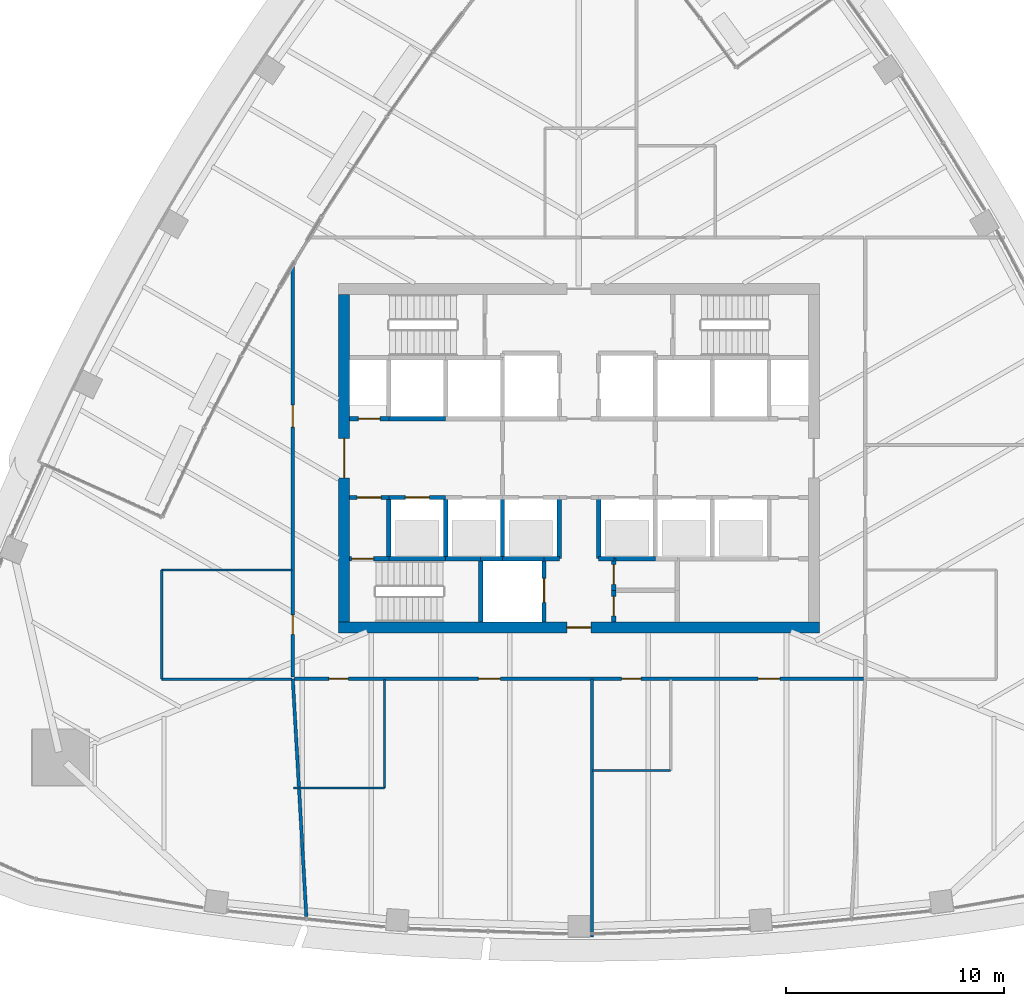
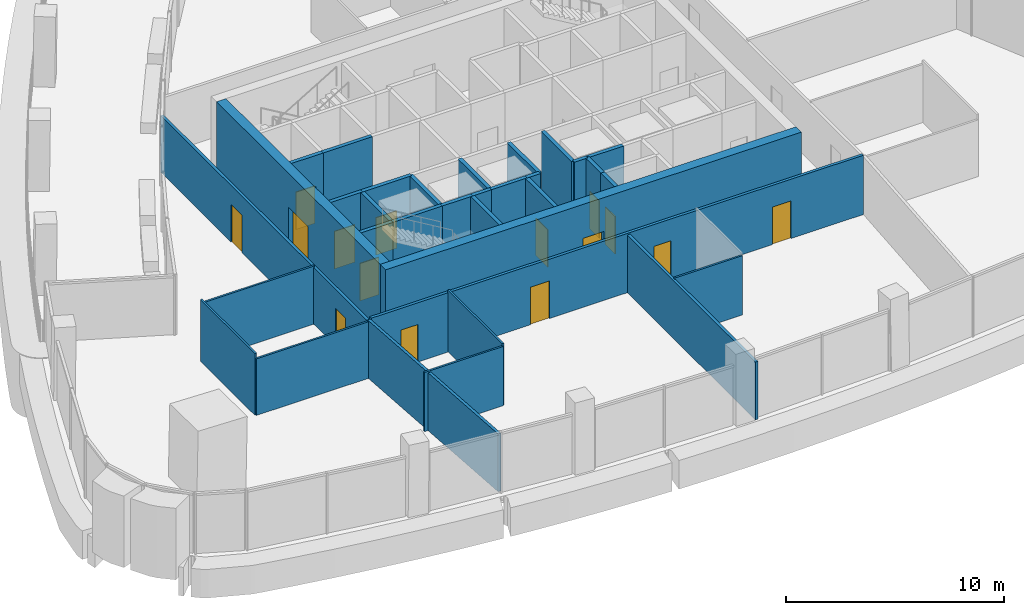
# One storey, part 11 of 19: 33 walls, 15 doors, 15 openings.
"""IFC4 building model written with IfcOpenShell, lengths in metres."""

from ifc_helpers import new_model, si_unit, direction, frame, frame_2d, origin, place, context, subcontext, project, spatial, rectangle, extrude, material, layer, layer_set, type_object, element, fill, save


model = new_model("IFC4")

# Units and contexts
model_context = context("Model", 3, precision=1e-05, world=origin(), true_north=direction((0.0, 1.0)))
body_context = subcontext(model_context, "Body", "Model", "MODEL_VIEW")
ifc_project = project(units=[si_unit("LENGTHUNIT", "METRE"), si_unit("AREAUNIT", "SQUARE_METRE"), si_unit("VOLUMEUNIT", "CUBIC_METRE"), si_unit("PLANEANGLEUNIT", "RADIAN"), si_unit("MASSUNIT", "GRAM", prefix="KILO")], contexts=[model_context])

# Site, building, storey
site_placement = place(None, origin())
site = spatial("IfcSite", under=ifc_project, at=site_placement, CompositionType="ELEMENT")
building_placement = place(site_placement, origin())
building = spatial("IfcBuilding", under=site, at=building_placement, Name="Sierra Prisma Convention Tower", CompositionType="ELEMENT")
storey_placement = place(building_placement, frame((0.0, 0.0, 173.800048828125)))
storey = spatial("IfcBuildingStorey", under=building, at=storey_placement, Name="L38", CompositionType="ELEMENT", Elevation=173.800048828125)

# Walls
ifc_material_1 = material(Name="Gypsum board partition", Category="gypsum")
ifc_layer_1 = layer(ifc_material_1, 0.10009765625)
ifc_layer_set_1 = layer_set([ifc_layer_1], Name="Bathroom partition 100")
wall_type_1 = type_object("IfcWallType", Name="Bathroom partition 100", PredefinedType="PARTITIONING", material=ifc_layer_set_1)
wall_1_placement = place(storey_placement, frame((-13.1298828125, -10.1201171875, 0.0), z_axis=(0.0, 0.0, 1.0), x_axis=(-1.0, 0.0, 0.0)))
element("IfcWall", 1, at=wall_1_placement, inside=storey, type_object=wall_type_1, Name="Partition L38 bath 1", PredefinedType="PARTITIONING", context=body_context, shape_type="SweptSolid", body=[
    extrude(rectangle(XDim=5.97021484375, YDim=0.10009765625, at=frame_2d((2.985107421875, 0.0))), origin(), (0.0, 0.0, 1.0), 3.166015625),
])
wall_2_placement = place(storey_placement, frame((-19.10009765625, -10.1201171875, 0.0), z_axis=(0.0, 0.0, 1.0), x_axis=(0.0, 1.0, 0.0)))
element("IfcWall", 2, at=wall_2_placement, inside=storey, type_object=wall_type_1, Name="Partition L38 bath 2", PredefinedType="PARTITIONING", context=body_context, shape_type="SweptSolid", body=[
    extrude(rectangle(XDim=5.0, YDim=0.10009765625, at=frame_2d((2.5, 0.0))), origin(), (0.0, 0.0, 1.0), 3.449951171875),
])
wall_3_placement = place(storey_placement, frame((-19.10009765625, -5.1201171875, 0.0), z_axis=(0.0, 0.0, 1.0), x_axis=(1.0, 0.0, 0.0)))
element("IfcWall", 3, at=wall_3_placement, inside=storey, type_object=wall_type_1, Name="Partition L38 bath 3", PredefinedType="PARTITIONING", context=body_context, shape_type="SweptSolid", body=[
    extrude(rectangle(XDim=5.97021484375, YDim=0.10009765625, at=frame_2d((2.985107421875, 0.0))), origin(), (0.0, 0.0, 1.0), 3.2470703125),
])
wall_4_placement = place(storey_placement, frame((-8.89990234375, -10.1298828125, 0.0), z_axis=(0.0, 0.0, 1.0), x_axis=(0.0, -1.0, 0.0)))
element("IfcWall", 4, at=wall_4_placement, inside=storey, type_object=wall_type_1, Name="Partition L38 bath 4", PredefinedType="PARTITIONING", context=body_context, shape_type="SweptSolid", body=[
    extrude(rectangle(XDim=4.97021484375, YDim=0.10009765625, at=frame_2d((2.485107421875, 0.0))), origin(), (0.0, 0.0, 1.0), 3.449951171875),
])
wall_5_placement = place(storey_placement, frame((-8.89990234375, -15.10009765625, 0.0), z_axis=(0.0, 0.0, 1.0), x_axis=(-1.0, 0.0, 0.0)))
element("IfcWall", 5, at=wall_5_placement, inside=storey, type_object=wall_type_1, Name="Partition L38 bath 5", PredefinedType="PARTITIONING", context=body_context, shape_type="SweptSolid", body=[
    extrude(rectangle(XDim=4.170166015625, YDim=0.10009765625, at=frame_2d((2.0849609375, 0.0))), origin(), (0.0, 0.0, 1.0), 3.31689453125),
])
wall_6_placement = place(storey_placement, frame((4.199951171875, -14.300048828125, 0.0), z_axis=(0.0, 0.0, 1.0), x_axis=(-1.0, 0.0, 0.0)))
element("IfcWall", 6, at=wall_6_placement, inside=storey, type_object=wall_type_1, Name="Partition L38 bath 9", PredefinedType="PARTITIONING", context=body_context, shape_type="SweptSolid", body=[
    extrude(rectangle(XDim=3.570068359375, YDim=0.10009765625, at=frame_2d((1.78515625, 0.0))), origin(), (0.0, 0.0, 1.0), 3.31689453125),
])

# Wall, opening, door
ifc_material_2 = material(Name="Concrete C30/37", Category="concrete")
ifc_layer_2 = layer(ifc_material_2, 0.199951171875)
ifc_layer_set_2 = layer_set([ifc_layer_2], Name="Core wall RC 200 C30/37")
wall_type_2 = type_object("IfcWallType", Name="Core wall RC 200 C30/37", PredefinedType="SOLIDWALL", material=ifc_layer_set_2)
wall_7_placement = place(storey_placement, frame((-10.5, -4.60009765625, 0.0), z_axis=(0.0, 0.0, 1.0), x_axis=(1.0, 0.0, 0.0)))
wall_7 = element("IfcWall", 7, at=wall_7_placement, inside=storey, type_object=wall_type_2, Name="Core wall L38 1", PredefinedType="SOLIDWALL", context=body_context, shape_type="SweptSolid", body=[
    extrude(rectangle(XDim=1.800048828125, YDim=0.199951171875, at=frame_2d((0.89990234375, 0.0))), origin(), (0.0, 0.0, 1.0), 3.849853515625),
])
opening_1_placement = place(wall_7_placement, frame((0.10009765625, 0.0, 0.0)))
opening_1 = element("IfcOpeningElement", 8, at=opening_1_placement, cuts=wall_7, Name="Opening L38-D019", PredefinedType="OPENING", context=body_context, shape_type="SweptSolid", body=[
    extrude(rectangle(XDim=1.0, YDim=2.10009765625, at=frame_2d((0.5, 1.050048828125))), frame((0.0, 0.10009765625, 0.0), z_axis=(0.0, -1.0, 0.0), x_axis=(1.0, 0.0, 0.0)), (0.0, 0.0, 1.0), 0.199951171875),
])
ifc_material_3 = material(Name="Steel fire door leaf", Category="steel")
door_type_1 = type_object("IfcDoorType", Name="Door 1000x2100 FD90S", OperationType="SINGLE_SWING_LEFT", PredefinedType="DOOR", material=ifc_material_3)
door_1_placement = place(opening_1_placement, origin())
door_1 = element("IfcDoor", 9, at=door_1_placement, inside=storey, type_object=door_type_1, Name="Door L38 30", OperationType="SINGLE_SWING_LEFT", OverallHeight=2.10009765625, OverallWidth=1.0, PredefinedType="DOOR", context=body_context, shape_type="SweptSolid", body=[
    extrude(rectangle(XDim=1.0, YDim=2.10009765625, at=frame_2d((0.5, 1.050048828125))), frame((0.0, 0.02490234375, 0.0), z_axis=(0.0, -1.0, 0.0), x_axis=(1.0, 0.0, 0.0)), (0.0, 0.0, 1.0), 0.050048828125),
])
fill(opening_1, door_1)

wall_8_placement = place(storey_placement, frame((-10.5, -1.800048828125, 0.0), z_axis=(0.0, 0.0, 1.0), x_axis=(1.0, 0.0, 0.0)))
wall_8 = element("IfcWall", 10, at=wall_8_placement, inside=storey, type_object=wall_type_2, Name="Core wall L38 2", PredefinedType="SOLIDWALL", context=body_context, shape_type="SweptSolid", body=[
    extrude(rectangle(XDim=1.800048828125, YDim=0.199951171875, at=frame_2d((0.89990234375, 0.0))), origin(), (0.0, 0.0, 1.0), 3.849853515625),
])
opening_2_placement = place(wall_8_placement, frame((0.35009765625, 0.0, 0.0)))
opening_2 = element("IfcOpeningElement", 11, at=opening_2_placement, cuts=wall_8, Name="Opening L38-D014", PredefinedType="OPENING", context=body_context, shape_type="SweptSolid", body=[
    extrude(rectangle(XDim=1.10009765625, YDim=2.10009765625, at=frame_2d((0.550048828125, 1.050048828125))), frame((0.0, 0.10009765625, 0.0), z_axis=(0.0, -1.0, 0.0), x_axis=(1.0, 0.0, 0.0)), (0.0, 0.0, 1.0), 0.199951171875),
])
ifc_material_4 = material(Name="Steel fire door leaf", Category="steel")
door_type_2 = type_object("IfcDoorType", Name="Door 1100x2100 FD90S", OperationType="SINGLE_SWING_LEFT", PredefinedType="DOOR", material=ifc_material_4)
door_2_placement = place(opening_2_placement, origin())
door_2 = element("IfcDoor", 12, at=door_2_placement, inside=storey, type_object=door_type_2, Name="Door L38 25", OperationType="SINGLE_SWING_RIGHT", OverallHeight=2.10009765625, OverallWidth=1.10009765625, PredefinedType="DOOR", context=body_context, shape_type="SweptSolid", body=[
    extrude(rectangle(XDim=1.10009765625, YDim=2.10009765625, at=frame_2d((0.550048828125, 1.050048828125))), frame((0.0, 0.02490234375, 0.0), z_axis=(0.0, -1.0, 0.0), x_axis=(1.0, 0.0, 0.0)), (0.0, 0.0, 1.0), 0.050048828125),
])
fill(opening_2, door_2)

wall_9_placement = place(storey_placement, frame((-8.699951171875, 1.800048828125, 0.0), z_axis=(0.0, 0.0, 1.0), x_axis=(-1.0, 0.0, 0.0)))
wall_9 = element("IfcWall", 13, at=wall_9_placement, inside=storey, type_object=wall_type_2, Name="Core wall L38 3", PredefinedType="SOLIDWALL", context=body_context, shape_type="SweptSolid", body=[
    extrude(rectangle(XDim=1.800048828125, YDim=0.199951171875, at=frame_2d((0.89990234375, 0.0))), origin(), (0.0, 0.0, 1.0), 3.849853515625),
])
opening_3_placement = place(wall_9_placement, frame((0.39990234375, 0.0, 0.0)))
opening_3 = element("IfcOpeningElement", 14, at=opening_3_placement, cuts=wall_9, Name="Opening L38-D017", PredefinedType="OPENING", context=body_context, shape_type="SweptSolid", body=[
    extrude(rectangle(XDim=1.0, YDim=2.10009765625, at=frame_2d((0.5, 1.050048828125))), frame((0.0, 0.10009765625, 0.0), z_axis=(0.0, -1.0, 0.0), x_axis=(1.0, 0.0, 0.0)), (0.0, 0.0, 1.0), 0.199951171875),
])
ifc_material_5 = material(Name="Steel fire door leaf", Category="steel")
door_type_3 = type_object("IfcDoorType", Name="Door 1000x2100 FD60S", OperationType="SINGLE_SWING_LEFT", PredefinedType="DOOR", material=ifc_material_5)
door_3_placement = place(opening_3_placement, origin())
door_3 = element("IfcDoor", 15, at=door_3_placement, inside=storey, type_object=door_type_3, Name="Door L38 28", OperationType="SINGLE_SWING_RIGHT", OverallHeight=2.10009765625, OverallWidth=1.0, PredefinedType="DOOR", context=body_context, shape_type="SweptSolid", body=[
    extrude(rectangle(XDim=1.0, YDim=2.10009765625, at=frame_2d((0.5, 1.050048828125))), frame((0.0, 0.02490234375, 0.0), z_axis=(0.0, -1.0, 0.0), x_axis=(1.0, 0.0, 0.0)), (0.0, 0.0, 1.0), 0.050048828125),
])
fill(opening_3, door_3)

# Walls
wall_10_placement = place(storey_placement, frame((-8.699951171875, -4.60009765625, 0.0), z_axis=(0.0, 0.0, 1.0), x_axis=(1.0, 0.0, 0.0)))
element("IfcWall", 16, at=wall_10_placement, inside=storey, type_object=wall_type_2, Name="Core wall L38 5", PredefinedType="SOLIDWALL", context=body_context, shape_type="SweptSolid", body=[
    extrude(rectangle(XDim=2.599853515625, YDim=0.199951171875, at=frame_2d((1.2998046875, 0.0))), origin(), (0.0, 0.0, 1.0), 3.849853515625),
])
wall_11_placement = place(storey_placement, frame((-8.699951171875, -4.60009765625, 0.0), z_axis=(0.0, 0.0, 1.0), x_axis=(0.0, 1.0, 0.0)))
element("IfcWall", 17, at=wall_11_placement, inside=storey, type_object=wall_type_2, Name="Core wall L38 6", PredefinedType="SOLIDWALL", context=body_context, shape_type="SweptSolid", body=[
    extrude(rectangle(XDim=2.800048828125, YDim=0.199951171875, at=frame_2d((1.39990234375, 0.0))), origin(), (0.0, 0.0, 1.0), 3.849853515625),
])

# Wall, opening, door
wall_12_placement = place(storey_placement, frame((-8.699951171875, -1.800048828125, 0.0), z_axis=(0.0, 0.0, 1.0), x_axis=(1.0, 0.0, 0.0)))
wall_12 = element("IfcWall", 18, at=wall_12_placement, inside=storey, type_object=wall_type_2, Name="Core wall L38 7", PredefinedType="SOLIDWALL", context=body_context, shape_type="SweptSolid", body=[
    extrude(rectangle(XDim=2.599853515625, YDim=0.199951171875, at=frame_2d((1.2998046875, 0.0))), origin(), (0.0, 0.0, 1.0), 3.849853515625),
])
opening_4_placement = place(wall_12_placement, frame((0.75, 0.0, 0.0)))
opening_4 = element("IfcOpeningElement", 19, at=opening_4_placement, cuts=wall_12, Name="Opening L38-D003", PredefinedType="OPENING", context=body_context, shape_type="SweptSolid", body=[
    extrude(rectangle(XDim=1.10009765625, YDim=2.10009765625, at=frame_2d((0.550048828125, 1.050048828125))), frame((0.0, 0.10009765625, 0.0), z_axis=(0.0, -1.0, 0.0), x_axis=(1.0, 0.0, 0.0)), (0.0, 0.0, 1.0), 0.199951171875),
])
ifc_material_6 = material(Name="Steel fire door leaf", Category="steel")
door_type_4 = type_object("IfcDoorType", Name="Door 1100x2100 EI 90 sliding lift landing", OperationType="SLIDING_TO_LEFT", PredefinedType="DOOR", material=ifc_material_6)
door_4_placement = place(opening_4_placement, origin())
door_4 = element("IfcDoor", 20, at=door_4_placement, inside=storey, type_object=door_type_4, Name="Door L38 14", OperationType="SLIDING_TO_LEFT", OverallHeight=2.10009765625, OverallWidth=1.10009765625, PredefinedType="DOOR", context=body_context, shape_type="SweptSolid", body=[
    extrude(rectangle(XDim=1.10009765625, YDim=2.10009765625, at=frame_2d((0.550048828125, 1.050048828125))), frame((0.0, 0.02490234375, 0.0), z_axis=(0.0, -1.0, 0.0), x_axis=(1.0, 0.0, 0.0)), (0.0, 0.0, 1.0), 0.050048828125),
])
fill(opening_4, door_4)

# Walls
wall_13_placement = place(storey_placement, frame((-6.10009765625, 1.800048828125, 0.0), z_axis=(0.0, 0.0, 1.0), x_axis=(-1.0, 0.0, 0.0)))
element("IfcWall", 21, at=wall_13_placement, inside=storey, type_object=wall_type_2, Name="Core wall L38 8", PredefinedType="SOLIDWALL", context=body_context, shape_type="SweptSolid", body=[
    extrude(rectangle(XDim=2.599853515625, YDim=0.199951171875, at=frame_2d((1.2998046875, 0.0))), origin(), (0.0, 0.0, 1.0), 3.849853515625),
])
wall_14_placement = place(storey_placement, frame((-6.10009765625, -4.60009765625, 0.0), z_axis=(0.0, 0.0, 1.0), x_axis=(1.0, 0.0, 0.0)))
element("IfcWall", 22, at=wall_14_placement, inside=storey, type_object=wall_type_2, Name="Core wall L38 11", PredefinedType="SOLIDWALL", context=body_context, shape_type="SweptSolid", body=[
    extrude(rectangle(XDim=1.60009765625, YDim=0.199951171875, at=frame_2d((0.800048828125, 0.0))), origin(), (0.0, 0.0, 1.0), 3.849853515625),
])
wall_15_placement = place(storey_placement, frame((-6.10009765625, -4.60009765625, 0.0), z_axis=(0.0, 0.0, 1.0), x_axis=(0.0, 1.0, 0.0)))
element("IfcWall", 23, at=wall_15_placement, inside=storey, type_object=wall_type_2, Name="Core wall L38 12", PredefinedType="SOLIDWALL", context=body_context, shape_type="SweptSolid", body=[
    extrude(rectangle(XDim=2.800048828125, YDim=0.199951171875, at=frame_2d((1.39990234375, 0.0))), origin(), (0.0, 0.0, 1.0), 3.849853515625),
])
wall_16_placement = place(storey_placement, frame((-4.5, -4.60009765625, 0.0), z_axis=(0.0, 0.0, 1.0), x_axis=(0.0, -1.0, 0.0)))
element("IfcWall", 24, at=wall_16_placement, inside=storey, type_object=wall_type_2, Name="Core wall L38 17", PredefinedType="SOLIDWALL", context=body_context, shape_type="SweptSolid", body=[
    extrude(rectangle(XDim=2.89990234375, YDim=0.199951171875, at=frame_2d((1.449951171875, 0.0))), origin(), (0.0, 0.0, 1.0), 3.849853515625),
])
wall_17_placement = place(storey_placement, frame((-4.5, -4.60009765625, 0.0), z_axis=(0.0, 0.0, 1.0), x_axis=(1.0, 0.0, 0.0)))
element("IfcWall", 25, at=wall_17_placement, inside=storey, type_object=wall_type_2, Name="Core wall L38 18", PredefinedType="SOLIDWALL", context=body_context, shape_type="SweptSolid", body=[
    extrude(rectangle(XDim=1.0, YDim=0.199951171875, at=frame_2d((0.5, 0.0))), origin(), (0.0, 0.0, 1.0), 3.849853515625),
])
wall_18_placement = place(storey_placement, frame((-3.5, -4.60009765625, 0.0), z_axis=(0.0, 0.0, 1.0), x_axis=(1.0, 0.0, 0.0)))
element("IfcWall", 26, at=wall_18_placement, inside=storey, type_object=wall_type_2, Name="Core wall L38 21", PredefinedType="SOLIDWALL", context=body_context, shape_type="SweptSolid", body=[
    extrude(rectangle(XDim=1.89990234375, YDim=0.199951171875, at=frame_2d((0.949951171875, 0.0))), origin(), (0.0, 0.0, 1.0), 3.849853515625),
])
wall_19_placement = place(storey_placement, frame((-3.5, -4.60009765625, 0.0), z_axis=(0.0, 0.0, 1.0), x_axis=(0.0, 1.0, 0.0)))
element("IfcWall", 27, at=wall_19_placement, inside=storey, type_object=wall_type_2, Name="Core wall L38 22", PredefinedType="SOLIDWALL", context=body_context, shape_type="SweptSolid", body=[
    extrude(rectangle(XDim=2.800048828125, YDim=0.199951171875, at=frame_2d((1.39990234375, 0.0))), origin(), (0.0, 0.0, 1.0), 3.849853515625),
])

# Wall, opening, door
wall_20_placement = place(storey_placement, frame((-1.60009765625, -7.5, 0.0), z_axis=(0.0, 0.0, 1.0), x_axis=(0.0, 1.0, 0.0)))
wall_20 = element("IfcWall", 28, at=wall_20_placement, inside=storey, type_object=wall_type_2, Name="Core wall L38 30", PredefinedType="SOLIDWALL", context=body_context, shape_type="SweptSolid", body=[
    extrude(rectangle(XDim=2.89990234375, YDim=0.199951171875, at=frame_2d((1.449951171875, 0.0))), origin(), (0.0, 0.0, 1.0), 3.849853515625),
])
opening_5_placement = place(wall_20_placement, frame((0.89990234375, 0.0, 0.0)))
opening_5 = element("IfcOpeningElement", 29, at=opening_5_placement, cuts=wall_20, Name="Opening L38-D011", PredefinedType="OPENING", context=body_context, shape_type="SweptSolid", body=[
    extrude(rectangle(XDim=1.10009765625, YDim=2.10009765625, at=frame_2d((0.550048828125, 1.050048828125))), frame((0.0, 0.10009765625, 0.0), z_axis=(0.0, -1.0, 0.0), x_axis=(1.0, 0.0, 0.0)), (0.0, 0.0, 1.0), 0.199951171875),
])
door_5_placement = place(opening_5_placement, origin())
door_5 = element("IfcDoor", 30, at=door_5_placement, inside=storey, type_object=door_type_4, Name="Door L38 22", OperationType="SLIDING_TO_LEFT", OverallHeight=2.10009765625, OverallWidth=1.10009765625, PredefinedType="DOOR", context=body_context, shape_type="SweptSolid", body=[
    extrude(rectangle(XDim=1.10009765625, YDim=2.10009765625, at=frame_2d((0.550048828125, 1.050048828125))), frame((0.0, 0.02490234375, 0.0), z_axis=(0.0, -1.0, 0.0), x_axis=(1.0, 0.0, 0.0)), (0.0, 0.0, 1.0), 0.050048828125),
])
fill(opening_5, door_5)

# Walls
wall_21_placement = place(storey_placement, frame((-1.60009765625, -4.60009765625, 0.0), z_axis=(0.0, 0.0, 1.0), x_axis=(1.0, 0.0, 0.0)))
element("IfcWall", 31, at=wall_21_placement, inside=storey, type_object=wall_type_2, Name="Core wall L38 31", PredefinedType="SOLIDWALL", context=body_context, shape_type="SweptSolid", body=[
    extrude(rectangle(XDim=0.7001953125, YDim=0.199951171875, at=frame_2d((0.35009765625, 0.0))), origin(), (0.0, 0.0, 1.0), 3.849853515625),
])
for number, where, z_axis, x_axis, name in (
    (32, (-0.89990234375, -4.60009765625, 0.0), (0.0, 0.0, 1.0), (0.0, 1.0, 0.0), "Core wall L38 32"),
    (33, (0.89990234375, -1.800048828125, 0.0), (0.0, 0.0, 1.0), (0.0, -1.0, 0.0), "Core wall L38 36"),
):
    element("IfcWall", number, at=place(storey_placement, frame(where, z_axis=z_axis, x_axis=x_axis)), inside=storey, type_object=wall_type_2, Name=name, PredefinedType="SOLIDWALL", context=body_context, shape_type="SweptSolid", body=[
        extrude(rectangle(XDim=2.800048828125, YDim=0.199951171875, at=frame_2d((1.39990234375, 0.0))), origin(), (0.0, 0.0, 1.0), 3.849853515625),
    ])
wall_22_placement = place(storey_placement, frame((0.89990234375, -4.60009765625, 0.0), z_axis=(0.0, 0.0, 1.0), x_axis=(1.0, 0.0, 0.0)))
element("IfcWall", 34, at=wall_22_placement, inside=storey, type_object=wall_type_2, Name="Core wall L38 37", PredefinedType="SOLIDWALL", context=body_context, shape_type="SweptSolid", body=[
    extrude(rectangle(XDim=0.7001953125, YDim=0.199951171875, at=frame_2d((0.35009765625, 0.0))), origin(), (0.0, 0.0, 1.0), 3.849853515625),
])

# Wall, opening, door
wall_23_placement = place(storey_placement, frame((1.60009765625, -6.050048828125, 0.0), z_axis=(0.0, 0.0, 1.0), x_axis=(0.0, -1.0, 0.0)))
wall_23 = element("IfcWall", 35, at=wall_23_placement, inside=storey, type_object=wall_type_2, Name="Core wall L38 42", PredefinedType="SOLIDWALL", context=body_context, shape_type="SweptSolid", body=[
    extrude(rectangle(XDim=1.449951171875, YDim=0.199951171875, at=frame_2d((0.72509765625, 0.0))), origin(), (0.0, 0.0, 1.0), 3.849853515625),
])
opening_6_placement = place(wall_23_placement, frame((0.27490234375, 0.0, 0.0)))
opening_6 = element("IfcOpeningElement", 36, at=opening_6_placement, cuts=wall_23, Name="Opening L38-D024", PredefinedType="OPENING", context=body_context, shape_type="SweptSolid", body=[
    extrude(rectangle(XDim=0.89990234375, YDim=2.10009765625, at=frame_2d((0.449951171875, 1.050048828125))), frame((0.0, 0.10009765625, 0.0), z_axis=(0.0, -1.0, 0.0), x_axis=(1.0, 0.0, 0.0)), (0.0, 0.0, 1.0), 0.199951171875),
])
ifc_material_7 = material(Name="Steel fire door leaf", Category="steel")
door_type_5 = type_object("IfcDoorType", Name="Door 900x2100 FD30S", OperationType="SINGLE_SWING_LEFT", PredefinedType="DOOR", material=ifc_material_7)
door_6_placement = place(opening_6_placement, origin())
door_6 = element("IfcDoor", 37, at=door_6_placement, inside=storey, type_object=door_type_5, Name="Door L38 35", OperationType="SINGLE_SWING_LEFT", OverallHeight=2.10009765625, OverallWidth=0.89990234375, PredefinedType="DOOR", context=body_context, shape_type="SweptSolid", body=[
    extrude(rectangle(XDim=0.89990234375, YDim=2.10009765625, at=frame_2d((0.449951171875, 1.050048828125))), frame((0.0, 0.02490234375, 0.0), z_axis=(0.0, -1.0, 0.0), x_axis=(1.0, 0.0, 0.0)), (0.0, 0.0, 1.0), 0.050048828125),
])
fill(opening_6, door_6)

wall_24_placement = place(storey_placement, frame((1.60009765625, -4.60009765625, 0.0), z_axis=(0.0, 0.0, 1.0), x_axis=(0.0, -1.0, 0.0)))
wall_24 = element("IfcWall", 38, at=wall_24_placement, inside=storey, type_object=wall_type_2, Name="Core wall L38 44", PredefinedType="SOLIDWALL", context=body_context, shape_type="SweptSolid", body=[
    extrude(rectangle(XDim=1.449951171875, YDim=0.199951171875, at=frame_2d((0.72509765625, 0.0))), origin(), (0.0, 0.0, 1.0), 3.849853515625),
])
opening_7_placement = place(wall_24_placement, frame((0.27490234375, 0.0, 0.0)))
opening_7 = element("IfcOpeningElement", 39, at=opening_7_placement, cuts=wall_24, Name="Opening L38-D025", PredefinedType="OPENING", context=body_context, shape_type="SweptSolid", body=[
    extrude(rectangle(XDim=0.89990234375, YDim=2.10009765625, at=frame_2d((0.449951171875, 1.050048828125))), frame((0.0, 0.10009765625, 0.0), z_axis=(0.0, -1.0, 0.0), x_axis=(1.0, 0.0, 0.0)), (0.0, 0.0, 1.0), 0.199951171875),
])
door_7_placement = place(opening_7_placement, origin())
door_7 = element("IfcDoor", 40, at=door_7_placement, inside=storey, type_object=door_type_5, Name="Door L38 36", OperationType="SINGLE_SWING_LEFT", OverallHeight=2.10009765625, OverallWidth=0.89990234375, PredefinedType="DOOR", context=body_context, shape_type="SweptSolid", body=[
    extrude(rectangle(XDim=0.89990234375, YDim=2.10009765625, at=frame_2d((0.449951171875, 1.050048828125))), frame((0.0, 0.02490234375, 0.0), z_axis=(0.0, -1.0, 0.0), x_axis=(1.0, 0.0, 0.0)), (0.0, 0.0, 1.0), 0.050048828125),
])
fill(opening_7, door_7)

# Wall
wall_25_placement = place(storey_placement, frame((3.5, -4.60009765625, 0.0), z_axis=(0.0, 0.0, 1.0), x_axis=(-1.0, 0.0, 0.0)))
element("IfcWall", 41, at=wall_25_placement, inside=storey, type_object=wall_type_2, Name="Core wall L38 45", PredefinedType="SOLIDWALL", context=body_context, shape_type="SweptSolid", body=[
    extrude(rectangle(XDim=1.89990234375, YDim=0.199951171875, at=frame_2d((0.949951171875, 0.0))), origin(), (0.0, 0.0, 1.0), 3.849853515625),
])

# Wall, opening, door
ifc_material_8 = material(Name="Concrete C60/75", Category="concrete")
ifc_layer_3 = layer(ifc_material_8, 0.5)
ifc_layer_set_3 = layer_set([ifc_layer_3], Name="Core wall RC 500 C60/75")
wall_type_3 = type_object("IfcWallType", Name="Core wall RC 500 C60/75", PredefinedType="SHEAR", material=ifc_layer_set_3)
wall_26_placement = place(storey_placement, frame((-11.0, -7.75, 0.0), z_axis=(0.0, 0.0, 1.0), x_axis=(1.0, 0.0, 0.0)))
wall_26 = element("IfcWall", 42, at=wall_26_placement, inside=storey, type_object=wall_type_3, Name="Core wall S L38", PredefinedType="SHEAR", context=body_context, shape_type="SweptSolid", body=[
    extrude(rectangle(XDim=22.0, YDim=0.5, at=frame_2d((11.0, 0.0))), origin(), (0.0, 0.0, 1.0), 4.0),
])
opening_8_placement = place(wall_26_placement, frame((10.449951171875, 0.0, 0.0)))
opening_8 = element("IfcOpeningElement", 43, at=opening_8_placement, cuts=wall_26, Name="Opening L38-D041", PredefinedType="OPENING", context=body_context, shape_type="SweptSolid", body=[
    extrude(rectangle(XDim=1.10009765625, YDim=2.10009765625, at=frame_2d((0.550048828125, 1.050048828125))), frame((0.0, 0.25, 0.0), z_axis=(0.0, -1.0, 0.0), x_axis=(1.0, 0.0, 0.0)), (0.0, 0.0, 1.0), 0.5),
])
ifc_material_9 = material(Name="Steel fire door leaf", Category="steel")
door_type_6 = type_object("IfcDoorType", Name="Door 1100x2100 FD30S", OperationType="SINGLE_SWING_LEFT", PredefinedType="DOOR", material=ifc_material_9)
door_8_placement = place(opening_8_placement, origin())
door_8 = element("IfcDoor", 44, at=door_8_placement, inside=storey, type_object=door_type_6, Name="Door L38 40", OperationType="SINGLE_SWING_RIGHT", OverallHeight=2.10009765625, OverallWidth=1.10009765625, PredefinedType="DOOR", context=body_context, shape_type="SweptSolid", body=[
    extrude(rectangle(XDim=1.10009765625, YDim=2.10009765625, at=frame_2d((0.550048828125, 1.050048828125))), frame((0.0, 0.02490234375, 0.0), z_axis=(0.0, -1.0, 0.0), x_axis=(1.0, 0.0, 0.0)), (0.0, 0.0, 1.0), 0.050048828125),
])
fill(opening_8, door_8)

wall_27_placement = place(storey_placement, frame((-10.75, -7.5, 0.0), z_axis=(0.0, 0.0, 1.0), x_axis=(0.0, 1.0, 0.0)))
wall_27 = element("IfcWall", 45, at=wall_27_placement, inside=storey, type_object=wall_type_3, Name="Core wall W L38", PredefinedType="SHEAR", context=body_context, shape_type="SweptSolid", body=[
    extrude(rectangle(XDim=15.0, YDim=0.5, at=frame_2d((7.5, 0.0))), origin(), (0.0, 0.0, 1.0), 4.0),
])
opening_9_placement = place(wall_27_placement, frame((6.60009765625, 0.0, 0.0)))
opening_9 = element("IfcOpeningElement", 46, at=opening_9_placement, cuts=wall_27, Name="Opening L38-D042", PredefinedType="OPENING", context=body_context, shape_type="SweptSolid", body=[
    extrude(rectangle(XDim=1.800048828125, YDim=2.10009765625, at=frame_2d((0.89990234375, 1.050048828125))), frame((0.0, 0.25, 0.0), z_axis=(0.0, -1.0, 0.0), x_axis=(1.0, 0.0, 0.0)), (0.0, 0.0, 1.0), 0.5),
])
ifc_material_10 = material(Name="Steel fire door leaf", Category="steel")
door_type_7 = type_object("IfcDoorType", Name="Door 1800x2100 FD60S", OperationType="DOUBLE_DOOR_SINGLE_SWING", PredefinedType="DOOR", material=ifc_material_10)
door_9_placement = place(opening_9_placement, origin())
door_9 = element("IfcDoor", 47, at=door_9_placement, inside=storey, type_object=door_type_7, Name="Door L38 37", OperationType="DOUBLE_DOOR_SINGLE_SWING", OverallHeight=2.10009765625, OverallWidth=1.800048828125, PredefinedType="DOOR", context=body_context, shape_type="SweptSolid", body=[
    extrude(rectangle(XDim=1.800048828125, YDim=2.10009765625, at=frame_2d((0.89990234375, 1.050048828125))), frame((0.0, 0.02490234375, 0.0), z_axis=(0.0, -1.0, 0.0), x_axis=(1.0, 0.0, 0.0)), (0.0, 0.0, 1.0), 0.050048828125),
])
fill(opening_9, door_9)

# Wall, openings, doors
ifc_material_11 = material(Name="Gypsum board partition", Category="gypsum")
ifc_layer_4 = layer(ifc_material_11, 0.14990234375)
ifc_layer_set_4 = layer_set([ifc_layer_4], Name="Corridor wall 150 gypsum EI 60")
wall_type_4 = type_object("IfcWallType", Name="Corridor wall 150 gypsum EI 60", PredefinedType="PARTITIONING", material=ifc_layer_set_4)
wall_28_placement = place(storey_placement, frame((-13.10009765625, 8.866455078125, 0.0), z_axis=(0.0, 0.0, 1.0), x_axis=(0.0, -1.0, 0.0)))
wall_28 = element("IfcWall", 48, at=wall_28_placement, inside=storey, type_object=wall_type_4, Name="Partition L38 corr 1", PredefinedType="PARTITIONING", context=body_context, shape_type="SweptSolid", body=[
    extrude(rectangle(XDim=18.886474609375, YDim=0.14990234375, at=frame_2d((9.443359375, 0.0))), origin(), (0.0, 0.0, 1.0), 3.166015625),
])
opening_10_placement = place(wall_28_placement, frame((16.03662109375, 0.0, 0.0)))
opening_10 = element("IfcOpeningElement", 49, at=opening_10_placement, cuts=wall_28, Name="Opening L38-D031", PredefinedType="OPENING", context=body_context, shape_type="SweptSolid", body=[
    extrude(rectangle(XDim=0.89990234375, YDim=2.10009765625, at=frame_2d((0.449951171875, 1.050048828125))), frame((0.0, 0.074951171875, 0.0), z_axis=(0.0, -1.0, 0.0), x_axis=(1.0, 0.0, 0.0)), (0.0, 0.0, 1.0), 0.14990234375),
])
opening_11_placement = place(wall_28_placement, frame((6.443359375, 0.0, 0.0)))
opening_11 = element("IfcOpeningElement", 50, at=opening_11_placement, cuts=wall_28, Name="Opening L38-D032", PredefinedType="OPENING", context=body_context, shape_type="SweptSolid", body=[
    extrude(rectangle(XDim=1.0, YDim=2.10009765625, at=frame_2d((0.5, 1.050048828125))), frame((0.0, 0.074951171875, 0.0), z_axis=(0.0, -1.0, 0.0), x_axis=(1.0, 0.0, 0.0)), (0.0, 0.0, 1.0), 0.14990234375),
])
ifc_material_12 = material(Name="Steel fire door leaf", Category="steel")
door_type_8 = type_object("IfcDoorType", Name="Door 1000x2100 FD30S", OperationType="SINGLE_SWING_LEFT", PredefinedType="DOOR", material=ifc_material_12)
door_10_placement = place(opening_11_placement, origin())
door_10 = element("IfcDoor", 51, at=door_10_placement, inside=storey, type_object=door_type_8, Name="Door L38 7", OperationType="SINGLE_SWING_LEFT", OverallHeight=2.10009765625, OverallWidth=1.0, PredefinedType="DOOR", context=body_context, shape_type="SweptSolid", body=[
    extrude(rectangle(XDim=1.0, YDim=2.10009765625, at=frame_2d((0.5, 1.050048828125))), frame((0.0, 0.02490234375, 0.0), z_axis=(0.0, -1.0, 0.0), x_axis=(1.0, 0.0, 0.0)), (0.0, 0.0, 1.0), 0.050048828125),
])
fill(opening_11, door_10)
door_11_placement = place(opening_10_placement, origin())
door_11 = element("IfcDoor", 52, at=door_11_placement, inside=storey, type_object=door_type_5, Name="Door L38 6", OperationType="SINGLE_SWING_LEFT", OverallHeight=2.10009765625, OverallWidth=0.89990234375, PredefinedType="DOOR", context=body_context, shape_type="SweptSolid", body=[
    extrude(rectangle(XDim=0.89990234375, YDim=2.10009765625, at=frame_2d((0.449951171875, 1.050048828125))), frame((0.0, 0.02490234375, 0.0), z_axis=(0.0, -1.0, 0.0), x_axis=(1.0, 0.0, 0.0)), (0.0, 0.0, 1.0), 0.050048828125),
])
fill(opening_10, door_11)

wall_29_placement = place(storey_placement, frame((-13.02001953125, -10.10009765625, 0.0), z_axis=(0.0, 0.0, 1.0), x_axis=(1.0, 0.0, 0.0)))
wall_29 = element("IfcWall", 53, at=wall_29_placement, inside=storey, type_object=wall_type_4, Name="Partition L38 corr 2", PredefinedType="PARTITIONING", context=body_context, shape_type="SweptSolid", body=[
    extrude(rectangle(XDim=26.0400390625, YDim=0.14990234375, at=frame_2d((13.02001953125, 0.0))), origin(), (0.0, 0.0, 1.0), 3.31689453125),
])
opening_12_placement = place(wall_29_placement, frame((1.570068359375, 0.0, 0.0)))
opening_12 = element("IfcOpeningElement", 54, at=opening_12_placement, cuts=wall_29, Name="Opening L38-D033", PredefinedType="OPENING", context=body_context, shape_type="SweptSolid", body=[
    extrude(rectangle(XDim=0.89990234375, YDim=2.10009765625, at=frame_2d((0.449951171875, 1.050048828125))), frame((0.0, 0.074951171875, 0.0), z_axis=(0.0, -1.0, 0.0), x_axis=(1.0, 0.0, 0.0)), (0.0, 0.0, 1.0), 0.14990234375),
])
opening_13_placement = place(wall_29_placement, frame((8.419921875, 0.0, 0.0)))
opening_13 = element("IfcOpeningElement", 55, at=opening_13_placement, cuts=wall_29, Name="Opening L38-D034", PredefinedType="OPENING", context=body_context, shape_type="SweptSolid", body=[
    extrude(rectangle(XDim=1.0, YDim=2.10009765625, at=frame_2d((0.5, 1.050048828125))), frame((0.0, 0.074951171875, 0.0), z_axis=(0.0, -1.0, 0.0), x_axis=(1.0, 0.0, 0.0)), (0.0, 0.0, 1.0), 0.14990234375),
])
opening_14_placement = place(wall_29_placement, frame((14.969970703125, 0.0, 0.0)))
opening_14 = element("IfcOpeningElement", 56, at=opening_14_placement, cuts=wall_29, Name="Opening L38-D035", PredefinedType="OPENING", context=body_context, shape_type="SweptSolid", body=[
    extrude(rectangle(XDim=0.89990234375, YDim=2.10009765625, at=frame_2d((0.449951171875, 1.050048828125))), frame((0.0, 0.074951171875, 0.0), z_axis=(0.0, -1.0, 0.0), x_axis=(1.0, 0.0, 0.0)), (0.0, 0.0, 1.0), 0.14990234375),
])
opening_15_placement = place(wall_29_placement, frame((21.219970703125, 0.0, 0.0)))
opening_15 = element("IfcOpeningElement", 57, at=opening_15_placement, cuts=wall_29, Name="Opening L38-D036", PredefinedType="OPENING", context=body_context, shape_type="SweptSolid", body=[
    extrude(rectangle(XDim=1.0, YDim=2.10009765625, at=frame_2d((0.5, 1.050048828125))), frame((0.0, 0.074951171875, 0.0), z_axis=(0.0, -1.0, 0.0), x_axis=(1.0, 0.0, 0.0)), (0.0, 0.0, 1.0), 0.14990234375),
])
door_12_placement = place(opening_13_placement, origin())
door_12 = element("IfcDoor", 58, at=door_12_placement, inside=storey, type_object=door_type_8, Name="Door L38 9", OperationType="SINGLE_SWING_LEFT", OverallHeight=2.10009765625, OverallWidth=1.0, PredefinedType="DOOR", context=body_context, shape_type="SweptSolid", body=[
    extrude(rectangle(XDim=1.0, YDim=2.10009765625, at=frame_2d((0.5, 1.050048828125))), frame((0.0, 0.02490234375, 0.0), z_axis=(0.0, -1.0, 0.0), x_axis=(1.0, 0.0, 0.0)), (0.0, 0.0, 1.0), 0.050048828125),
])
fill(opening_13, door_12)
door_13_placement = place(opening_15_placement, origin())
door_13 = element("IfcDoor", 59, at=door_13_placement, inside=storey, type_object=door_type_8, Name="Door L38 11", OperationType="SINGLE_SWING_LEFT", OverallHeight=2.10009765625, OverallWidth=1.0, PredefinedType="DOOR", context=body_context, shape_type="SweptSolid", body=[
    extrude(rectangle(XDim=1.0, YDim=2.10009765625, at=frame_2d((0.5, 1.050048828125))), frame((0.0, 0.02490234375, 0.0), z_axis=(0.0, -1.0, 0.0), x_axis=(1.0, 0.0, 0.0)), (0.0, 0.0, 1.0), 0.050048828125),
])
fill(opening_15, door_13)
door_14_placement = place(opening_12_placement, origin())
door_14 = element("IfcDoor", 60, at=door_14_placement, inside=storey, type_object=door_type_5, Name="Door L38 8", OperationType="SINGLE_SWING_RIGHT", OverallHeight=2.10009765625, OverallWidth=0.89990234375, PredefinedType="DOOR", context=body_context, shape_type="SweptSolid", body=[
    extrude(rectangle(XDim=0.89990234375, YDim=2.10009765625, at=frame_2d((0.449951171875, 1.050048828125))), frame((0.0, 0.02490234375, 0.0), z_axis=(0.0, -1.0, 0.0), x_axis=(1.0, 0.0, 0.0)), (0.0, 0.0, 1.0), 0.050048828125),
])
fill(opening_12, door_14)
door_15_placement = place(opening_14_placement, origin())
door_15 = element("IfcDoor", 61, at=door_15_placement, inside=storey, type_object=door_type_5, Name="Door L38 10", OperationType="SINGLE_SWING_LEFT", OverallHeight=2.10009765625, OverallWidth=0.89990234375, PredefinedType="DOOR", context=body_context, shape_type="SweptSolid", body=[
    extrude(rectangle(XDim=0.89990234375, YDim=2.10009765625, at=frame_2d((0.449951171875, 1.050048828125))), frame((0.0, 0.02490234375, 0.0), z_axis=(0.0, -1.0, 0.0), x_axis=(1.0, 0.0, 0.0)), (0.0, 0.0, 1.0), 0.050048828125),
])
fill(opening_14, door_15)

# Walls
ifc_material_13 = material(Name="Gypsum board partition", Category="gypsum")
ifc_layer_5 = layer(ifc_material_13, 0.14990234375)
ifc_layer_set_5 = layer_set([ifc_layer_5], Name="Party wall 150 gypsum")
wall_type_5 = type_object("IfcWallType", Name="Party wall 150 gypsum", PredefinedType="PARTITIONING", material=ifc_layer_set_5)
wall_30_placement = place(storey_placement, frame((-13.10009765625, -10.10009765625, 0.0), z_axis=(0.0, 0.0, 1.0), x_axis=(0.057075935192, -0.9983698401, 0.0)))
element("IfcWall", 62, at=wall_30_placement, inside=storey, type_object=wall_type_5, Name="Partition L38 party 1", PredefinedType="PARTITIONING", context=body_context, shape_type="SweptSolid", body=[
    extrude(rectangle(XDim=10.9033203125, YDim=0.14990234375, at=frame_2d((5.45166015625, 0.0))), origin(), (0.0, 0.0, 1.0), 3.23388671875),
])
wall_31_placement = place(storey_placement, frame((0.60009765625, -10.10009765625, 0.0), z_axis=(0.0, 0.0, 1.0), x_axis=(0.0, -1.0, 0.0)))
element("IfcWall", 63, at=wall_31_placement, inside=storey, type_object=wall_type_5, Name="Partition L38 party 2", PredefinedType="PARTITIONING", context=body_context, shape_type="SweptSolid", body=[
    extrude(rectangle(XDim=11.8125, YDim=0.14990234375, at=frame_2d((5.90625, 0.0))), origin(), (0.0, 0.0, 1.0), 3.23388671875),
])

save(model, "model.ifc")
